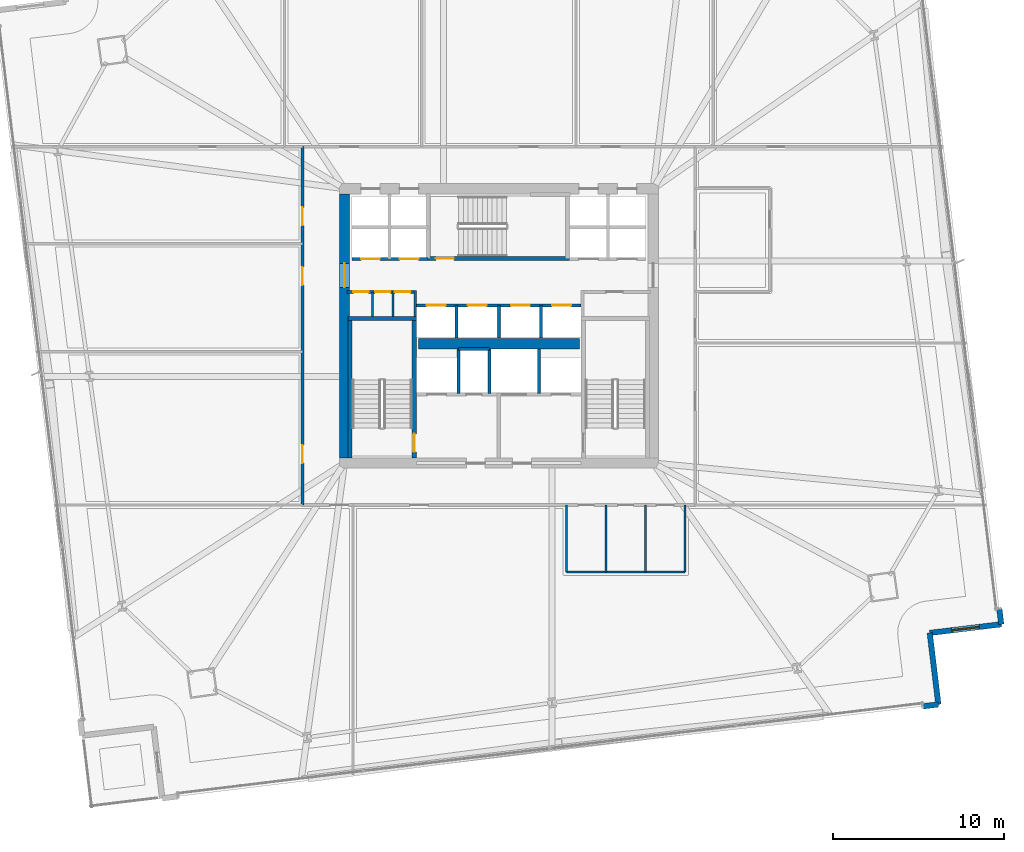
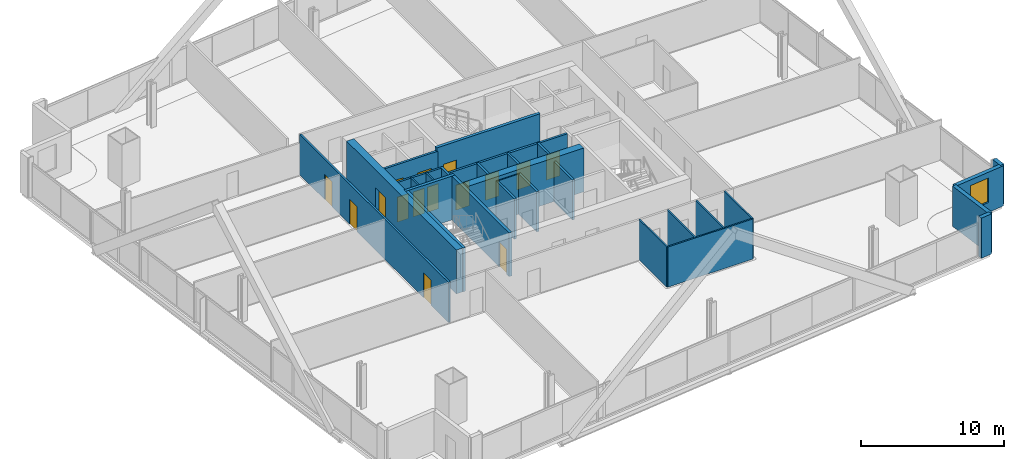
# One storey, part 26 of 33: 29 walls, 15 doors, 1 window, 16 openings.
"""IFC4 building model written with IfcOpenShell, lengths in metres."""

from ifc_helpers import new_model, si_unit, direction, frame, frame_2d, origin, place, context, subcontext, project, spatial, rectangle, extrude, material, layer, layer_set, type_object, element, fill, save


model = new_model("IFC4")

# Units and contexts
model_context = context("Model", 3, precision=1e-05, world=origin(), true_north=direction((0.0, 1.0)))
body_context = subcontext(model_context, "Body", "Model", "MODEL_VIEW")
ifc_project = project(units=[si_unit("LENGTHUNIT", "METRE"), si_unit("AREAUNIT", "SQUARE_METRE"), si_unit("VOLUMEUNIT", "CUBIC_METRE"), si_unit("PLANEANGLEUNIT", "RADIAN"), si_unit("MASSUNIT", "GRAM", prefix="KILO")], contexts=[model_context])

# Site, building, storey
site_placement = place(None, origin())
site = spatial("IfcSite", under=ifc_project, at=site_placement, CompositionType="ELEMENT")
building_placement = place(site_placement, origin())
building = spatial("IfcBuilding", under=site, at=building_placement, Name="Haldenkirk Collegiate Tower", CompositionType="ELEMENT")
storey_placement = place(building_placement, frame((0.0, 0.0, 51.449951171875)))
storey = spatial("IfcBuildingStorey", under=building, at=storey_placement, Name="L11", CompositionType="ELEMENT", Elevation=51.449951171875)

# Wall, opening, door
ifc_material_1 = material(Name="Concrete f'c 70 MPa", Category="concrete")
ifc_layer_1 = layer(ifc_material_1, 0.60009765625)
ifc_layer_set_1 = layer_set([ifc_layer_1], Name="Concrete f'c 70 MPa")
wall_type_1 = type_object("IfcWallType", Name="WL-CORE-600", PredefinedType="SHEAR", material=ifc_layer_set_1)
wall_1_placement = place(storey_placement, frame((27.0, 18.300048828125, 0.0), z_axis=(0.0, 0.0, 1.0), x_axis=(0.0, 1.0, 0.0)))
wall_1 = element("IfcWall", 1, at=wall_1_placement, inside=storey, type_object=wall_type_1, Name="L11 central core shear wall W", PredefinedType="SHEAR", context=body_context, shape_type="SweptSolid", body=[
    extrude(rectangle(XDim=15.39990234375, YDim=0.60009765625, at=frame_2d((7.699951171875, 0.0))), origin(), (0.0, 0.0, 1.0), 3.75),
])
opening_1_placement = place(wall_1_placement, frame((9.93994140625, 0.0, 0.0)))
opening_1 = element("IfcOpeningElement", 2, at=opening_1_placement, cuts=wall_1, Name="Opening D-03", PredefinedType="OPENING", context=body_context, shape_type="SweptSolid", body=[
    extrude(rectangle(XDim=1.39990234375, YDim=2.199951171875, at=frame_2d((0.699951171875, 1.10009765625))), frame((0.0, 0.31005859375, 0.0), z_axis=(0.0, -1.0, 0.0), x_axis=(1.0, 0.0, 0.0)), (0.0, 0.0, 1.0), 0.6201171875),
])
ifc_material_2 = material(Name="Galvanized fire-rated hollow steel door", Category="steel")
ifc_layer_2 = layer(ifc_material_2, 0.06005859375)
ifc_layer_set_2 = layer_set([ifc_layer_2], Name="Galvanized fire-rated hollow steel door")
door_type_1 = type_object("IfcDoorType", Name="DR-LOBBY-FD90-1400", OperationType="NOTDEFINED", PredefinedType="DOOR", material=ifc_layer_set_2)
door_1_placement = place(opening_1_placement, origin())
door_1 = element("IfcDoor", 3, at=door_1_placement, inside=storey, type_object=door_type_1, Name="L11 west lift lobby portal", OperationType="DOUBLE_DOOR_SINGLE_SWING", OverallHeight=2.199951171875, OverallWidth=1.39990234375, PredefinedType="DOOR", context=body_context, shape_type="SweptSolid", body=[
    extrude(rectangle(XDim=1.39990234375, YDim=2.199951171875, at=frame_2d((0.699951171875, 1.10009765625))), frame((0.0, 0.02490234375, 0.0), z_axis=(0.0, -1.0, 0.0), x_axis=(1.0, 0.0, 0.0)), (0.0, 0.0, 1.0), 0.050048828125),
])
fill(opening_1, door_1)

# Walls
wall_2_placement = place(storey_placement, frame((31.31005859375, 24.949951171875, 0.0), z_axis=(0.0, 0.0, 1.0), x_axis=(1.0, 0.0, 0.0)))
element("IfcWall", 4, at=wall_2_placement, inside=storey, type_object=wall_type_1, Name="L11 central core spine shear wall", PredefinedType="SHEAR", context=body_context, shape_type="SweptSolid", body=[
    extrude(rectangle(XDim=9.3798828125, YDim=0.60009765625, at=frame_2d((4.68994140625, 0.0))), origin(), (0.0, 0.0, 1.0), 3.75),
])
ifc_material_3 = material(Name="Precast concrete f'c 40 MPa", Category="concrete")
ifc_layer_3 = layer(ifc_material_3, 0.320068359375)
ifc_layer_set_3 = layer_set([ifc_layer_3], Name="Precast concrete f'c 40 MPa")
wall_type_2 = type_object("IfcWallType", Name="WL-EXT-TWR-320", PredefinedType="STANDARD", material=ifc_layer_set_3)
wall_3_placement = place(storey_placement, frame((61.63818359375, 3.920166015625, 0.0), z_axis=(0.0, 0.0, 1.0), x_axis=(-0.992750468934, -0.12019362059, 0.0)))
element("IfcWall", 5, at=wall_3_placement, inside=storey, type_object=wall_type_2, Name="L11 precast corner pier SL", PredefinedType="STANDARD", context=body_context, shape_type="SweptSolid", body=[
    extrude(rectangle(XDim=0.89990234375, YDim=0.320068359375, at=frame_2d((0.449951171875, 0.0))), origin(), (0.0, 0.0, 1.0), 3.43994140625),
])
wall_4_placement = place(storey_placement, frame((61.1337890625, 8.08984375, 0.0), z_axis=(0.0, 0.0, 1.0), x_axis=(0.120091804293, -0.992762790671, 0.0)))
element("IfcWall", 6, at=wall_4_placement, inside=storey, type_object=wall_type_2, Name="L11 bronze precast notch wall 02", PredefinedType="STANDARD", context=body_context, shape_type="SweptSolid", body=[
    extrude(rectangle(XDim=4.2001953125, YDim=0.320068359375, at=frame_2d((2.10009765625, 0.0))), origin(), (0.0, 0.0, 1.0), 3.43994140625),
])

# Wall, opening, window
wall_5_placement = place(storey_placement, frame((65.30322265625, 8.59423828125, 0.0), z_axis=(0.0, 0.0, 1.0), x_axis=(-0.992761952279, -0.120098734829, 0.0)))
wall_5 = element("IfcWall", 7, at=wall_5_placement, inside=storey, type_object=wall_type_2, Name="L11 bronze precast notch wall 03", PredefinedType="STANDARD", context=body_context, shape_type="SweptSolid", body=[
    extrude(rectangle(XDim=4.199951171875, YDim=0.320068359375, at=frame_2d((2.10009765625, 0.0))), origin(), (0.0, 0.0, 1.0), 3.43994140625),
])
opening_2_placement = place(wall_5_placement, frame((1.300048828125, 0.0, 0.85009765625)))
opening_2 = element("IfcOpeningElement", 8, at=opening_2_placement, cuts=wall_5, Name="Opening W-03", PredefinedType="OPENING", context=body_context, shape_type="SweptSolid", body=[
    extrude(rectangle(XDim=1.60009765625, YDim=2.10009765625, at=frame_2d((0.800048828125, 1.050048828125))), frame((0.0, 0.169921875, 0.0), z_axis=(0.0, -1.0, 0.0), x_axis=(1.0, 0.0, 0.0)), (0.0, 0.0, 1.0), 0.340087890625),
])
ifc_material_4 = material(Name="Low-E argon triple insulating glass", Category="glass")
ifc_layer_4 = layer(ifc_material_4, 0.090087890625)
ifc_layer_set_4 = layer_set([ifc_layer_4], Name="Low-E argon triple insulating glass")
window_type = type_object("IfcWindowType", Name="WN-Z1-1600X2100", PartitioningType="SINGLE_PANEL", PredefinedType="WINDOW", material=ifc_layer_set_4)
window_placement = place(opening_2_placement, origin())
window = element("IfcWindow", 9, at=window_placement, inside=storey, type_object=window_type, Name="L11 precast-frame academic window 2", OverallHeight=2.10009765625, OverallWidth=1.60009765625, PartitioningType="SINGLE_PANEL", PredefinedType="WINDOW", context=body_context, shape_type="SweptSolid", body=[
    extrude(rectangle(XDim=1.60009765625, YDim=2.10009765625, at=frame_2d((0.800048828125, 1.050048828125))), frame((0.0, 0.030029296875, 0.0), z_axis=(0.0, -1.0, 0.0), x_axis=(1.0, 0.0, 0.0)), (0.0, 0.0, 1.0), 0.06005859375),
])
fill(opening_2, window)

# Wall
wall_6_placement = place(storey_placement, frame((65.1953125, 9.48779296875, 0.0), z_axis=(0.0, 0.0, 1.0), x_axis=(0.119893914026, -0.992786708906, 0.0)))
element("IfcWall", 10, at=wall_6_placement, inside=storey, type_object=wall_type_2, Name="L11 precast corner pier ER", PredefinedType="STANDARD", context=body_context, shape_type="SweptSolid", body=[
    extrude(rectangle(XDim=0.900146484375, YDim=0.320068359375, at=frame_2d((0.4501953125, 0.0))), origin(), (0.0, 0.0, 1.0), 3.43994140625),
])

# Wall, openings, doors
ifc_material_5 = material(Name="Acoustic fire-rated gypsum partition", Category="concrete")
ifc_layer_5 = layer(ifc_material_5, 0.159912109375)
ifc_layer_set_5 = layer_set([ifc_layer_5], Name="Acoustic fire-rated gypsum partition")
wall_type_3 = type_object("IfcWallType", Name="WL-INT-CORR-160", PredefinedType="PARTITIONING", material=ifc_layer_set_5)
wall_7_placement = place(storey_placement, frame((27.14990234375, 27.97998046875, 0.0), z_axis=(0.0, 0.0, 1.0), x_axis=(1.0, 0.0, 0.0)))
wall_7 = element("IfcWall", 11, at=wall_7_placement, inside=storey, type_object=wall_type_3, Name="L11 interior partition IW-L11-VCSW-N", PredefinedType="PARTITIONING", context=body_context, shape_type="SweptSolid", body=[
    extrude(rectangle(XDim=4.050048828125, YDim=0.159912109375, at=frame_2d((2.02490234375, 0.0))), origin(), (0.0, 0.0, 1.0), 3.43994140625),
])
opening_3_placement = place(wall_7_placement, frame((0.360107421875, 0.0, 0.0)))
opening_3 = element("IfcOpeningElement", 12, at=opening_3_placement, cuts=wall_7, Name="Opening D-11", PredefinedType="OPENING", context=body_context, shape_type="SweptSolid", body=[
    extrude(rectangle(XDim=0.89990234375, YDim=2.14990234375, at=frame_2d((0.449951171875, 1.074951171875))), frame((0.0, 0.08984375, 0.0), z_axis=(0.0, -1.0, 0.0), x_axis=(1.0, 0.0, 0.0)), (0.0, 0.0, 1.0), 0.179931640625),
])
opening_4_placement = place(wall_7_placement, frame((1.6298828125, 0.0, 0.0)))
opening_4 = element("IfcOpeningElement", 13, at=opening_4_placement, cuts=wall_7, Name="Opening D-11", PredefinedType="OPENING", context=body_context, shape_type="SweptSolid", body=[
    extrude(rectangle(XDim=0.89990234375, YDim=2.14990234375, at=frame_2d((0.449951171875, 1.074951171875))), frame((0.0, 0.08984375, 0.0), z_axis=(0.0, -1.0, 0.0), x_axis=(1.0, 0.0, 0.0)), (0.0, 0.0, 1.0), 0.179931640625),
])
opening_5_placement = place(wall_7_placement, frame((2.78759765625, 0.0, 0.0)))
opening_5 = element("IfcOpeningElement", 14, at=opening_5_placement, cuts=wall_7, Name="Opening D-11", PredefinedType="OPENING", context=body_context, shape_type="SweptSolid", body=[
    extrude(rectangle(XDim=0.89990234375, YDim=2.14990234375, at=frame_2d((0.449951171875, 1.074951171875))), frame((0.0, 0.08984375, 0.0), z_axis=(0.0, -1.0, 0.0), x_axis=(1.0, 0.0, 0.0)), (0.0, 0.0, 1.0), 0.179931640625),
])
ifc_material_6 = material(Name="Solid-core architectural oak fire door", Category="wood")
ifc_layer_6 = layer(ifc_material_6, 0.06005859375)
ifc_layer_set_6 = layer_set([ifc_layer_6], Name="Solid-core architectural oak fire door")
door_type_2 = type_object("IfcDoorType", Name="DR-INT-FD60-900", OperationType="NOTDEFINED", PredefinedType="DOOR", material=ifc_layer_set_6)
door_2_placement = place(opening_3_placement, origin())
door_2 = element("IfcDoor", 15, at=door_2_placement, inside=storey, type_object=door_type_2, Name="L11 core study booth door", OperationType="SINGLE_SWING_RIGHT", OverallHeight=2.14990234375, OverallWidth=0.89990234375, PredefinedType="DOOR", context=body_context, shape_type="SweptSolid", body=[
    extrude(rectangle(XDim=0.89990234375, YDim=2.14990234375, at=frame_2d((0.449951171875, 1.074951171875))), frame((0.0, 0.02490234375, 0.0), z_axis=(0.0, -1.0, 0.0), x_axis=(1.0, 0.0, 0.0)), (0.0, 0.0, 1.0), 0.050048828125),
])
fill(opening_3, door_2)
door_3_placement = place(opening_4_placement, origin())
door_3 = element("IfcDoor", 16, at=door_3_placement, inside=storey, type_object=door_type_2, Name="L11 core cleaners door", OperationType="SINGLE_SWING_LEFT", OverallHeight=2.14990234375, OverallWidth=0.89990234375, PredefinedType="DOOR", context=body_context, shape_type="SweptSolid", body=[
    extrude(rectangle(XDim=0.89990234375, YDim=2.14990234375, at=frame_2d((0.449951171875, 1.074951171875))), frame((0.0, 0.02490234375, 0.0), z_axis=(0.0, -1.0, 0.0), x_axis=(1.0, 0.0, 0.0)), (0.0, 0.0, 1.0), 0.050048828125),
])
fill(opening_4, door_3)
door_4_placement = place(opening_5_placement, origin())
door_4 = element("IfcDoor", 17, at=door_4_placement, inside=storey, type_object=door_type_2, Name="L11 core stationery door", OperationType="SINGLE_SWING_RIGHT", OverallHeight=2.14990234375, OverallWidth=0.89990234375, PredefinedType="DOOR", context=body_context, shape_type="SweptSolid", body=[
    extrude(rectangle(XDim=0.89990234375, YDim=2.14990234375, at=frame_2d((0.449951171875, 1.074951171875))), frame((0.0, 0.02490234375, 0.0), z_axis=(0.0, -1.0, 0.0), x_axis=(1.0, 0.0, 0.0)), (0.0, 0.0, 1.0), 0.050048828125),
])
fill(opening_5, door_4)

# Wall
wall_8_placement = place(storey_placement, frame((31.1201171875, 26.5400390625, 0.0), z_axis=(0.0, 0.0, 1.0), x_axis=(0.0, 1.0, 0.0)))
element("IfcWall", 18, at=wall_8_placement, inside=storey, type_object=wall_type_3, Name="L11 interior partition IW-L11-VCSW-E", PredefinedType="PARTITIONING", context=body_context, shape_type="SweptSolid", body=[
    extrude(rectangle(XDim=1.510009765625, YDim=0.159912109375, at=frame_2d((0.7548828125, 0.0))), origin(), (0.0, 0.0, 1.0), 3.43994140625),
])

# Wall, openings, doors
wall_9_placement = place(storey_placement, frame((24.550048828125, 15.550048828125, 0.0), z_axis=(0.0, 0.0, 1.0), x_axis=(0.0, 1.0, 0.0)))
wall_9 = element("IfcWall", 19, at=wall_9_placement, inside=storey, type_object=wall_type_3, Name="L11 interior partition IW-L11-CW", PredefinedType="PARTITIONING", context=body_context, shape_type="SweptSolid", body=[
    extrude(rectangle(XDim=20.89990234375, YDim=0.159912109375, at=frame_2d((10.449951171875, 0.0))), origin(), (0.0, 0.0, 1.0), 3.43994140625),
])
opening_6_placement = place(wall_9_placement, frame((2.445068359375, 0.0, 0.0)))
opening_6 = element("IfcOpeningElement", 20, at=opening_6_placement, cuts=wall_9, Name="Opening D-09", PredefinedType="OPENING", context=body_context, shape_type="SweptSolid", body=[
    extrude(rectangle(XDim=1.050048828125, YDim=2.14990234375, at=frame_2d((0.52490234375, 1.074951171875))), frame((0.0, 0.08984375, 0.0), z_axis=(0.0, -1.0, 0.0), x_axis=(1.0, 0.0, 0.0)), (0.0, 0.0, 1.0), 0.179931640625),
])
opening_7_placement = place(wall_9_placement, frame((12.8291015625, 0.0, 0.0)))
opening_7 = element("IfcOpeningElement", 21, at=opening_7_placement, cuts=wall_9, Name="Opening D-09", PredefinedType="OPENING", context=body_context, shape_type="SweptSolid", body=[
    extrude(rectangle(XDim=1.050048828125, YDim=2.14990234375, at=frame_2d((0.52490234375, 1.074951171875))), frame((0.0, 0.08984375, 0.0), z_axis=(0.0, -1.0, 0.0), x_axis=(1.0, 0.0, 0.0)), (0.0, 0.0, 1.0), 0.179931640625),
])
opening_8_placement = place(wall_9_placement, frame((16.306884765625, 0.0, 0.0)))
opening_8 = element("IfcOpeningElement", 22, at=opening_8_placement, cuts=wall_9, Name="Opening D-09", PredefinedType="OPENING", context=body_context, shape_type="SweptSolid", body=[
    extrude(rectangle(XDim=1.050048828125, YDim=2.14990234375, at=frame_2d((0.52490234375, 1.074951171875))), frame((0.0, 0.08984375, 0.0), z_axis=(0.0, -1.0, 0.0), x_axis=(1.0, 0.0, 0.0)), (0.0, 0.0, 1.0), 0.179931640625),
])
ifc_layer_7 = layer(ifc_material_6, 0.06005859375)
ifc_layer_set_7 = layer_set([ifc_layer_7], Name="Solid-core architectural oak fire door")
door_type_3 = type_object("IfcDoorType", Name="DR-INT-FD60-1050", OperationType="NOTDEFINED", PredefinedType="DOOR", material=ifc_layer_set_7)
door_5_placement = place(opening_6_placement, origin())
door_5 = element("IfcDoor", 23, at=door_5_placement, inside=storey, type_object=door_type_3, Name="L11 Rare Folio Vault 8 door", OperationType="SINGLE_SWING_RIGHT", OverallHeight=2.14990234375, OverallWidth=1.050048828125, PredefinedType="DOOR", context=body_context, shape_type="SweptSolid", body=[
    extrude(rectangle(XDim=1.050048828125, YDim=2.14990234375, at=frame_2d((0.52490234375, 1.074951171875))), frame((0.0, 0.02490234375, 0.0), z_axis=(0.0, -1.0, 0.0), x_axis=(1.0, 0.0, 0.0)), (0.0, 0.0, 1.0), 0.050048828125),
])
fill(opening_6, door_5)
door_6_placement = place(opening_7_placement, origin())
door_6 = element("IfcDoor", 24, at=door_6_placement, inside=storey, type_object=door_type_3, Name="L11 Instrument Store Room 9 door", OperationType="SINGLE_SWING_LEFT", OverallHeight=2.14990234375, OverallWidth=1.050048828125, PredefinedType="DOOR", context=body_context, shape_type="SweptSolid", body=[
    extrude(rectangle(XDim=1.050048828125, YDim=2.14990234375, at=frame_2d((0.52490234375, 1.074951171875))), frame((0.0, 0.02490234375, 0.0), z_axis=(0.0, -1.0, 0.0), x_axis=(1.0, 0.0, 0.0)), (0.0, 0.0, 1.0), 0.050048828125),
])
fill(opening_7, door_6)
door_7_placement = place(opening_8_placement, origin())
door_7 = element("IfcDoor", 25, at=door_7_placement, inside=storey, type_object=door_type_3, Name="L11 Material Specimen Store 10 door", OperationType="SINGLE_SWING_RIGHT", OverallHeight=2.14990234375, OverallWidth=1.050048828125, PredefinedType="DOOR", context=body_context, shape_type="SweptSolid", body=[
    extrude(rectangle(XDim=1.050048828125, YDim=2.14990234375, at=frame_2d((0.52490234375, 1.074951171875))), frame((0.0, 0.02490234375, 0.0), z_axis=(0.0, -1.0, 0.0), x_axis=(1.0, 0.0, 0.0)), (0.0, 0.0, 1.0), 0.050048828125),
])
fill(opening_8, door_7)

# Walls
ifc_material_7 = material(Name="Fire-rated gypsum shaftboard assembly", Category="concrete")
ifc_layer_8 = layer(ifc_material_7, 0.179931640625)
ifc_layer_set_8 = layer_set([ifc_layer_8], Name="Fire-rated gypsum shaftboard assembly")
wall_type_4 = type_object("IfcWallType", Name="WL-INT-SHAFT-180", PredefinedType="PARTITIONING", material=ifc_layer_set_8)
for number, where, z_axis, x_axis, name in (
    (26, (33.64990234375, 22.050048828125, 0.0), (0.0, 0.0, 1.0), (0.0, 1.0, 0.0), "L11 interior partition IW-L11-FL1E"),
    (27, (35.449951171875, 22.050048828125, 0.0), (0.0, 0.0, 1.0), (0.0, 1.0, 0.0), "L11 interior partition IW-L11-GL1W"),
):
    element("IfcWall", number, at=place(storey_placement, frame(where, z_axis=z_axis, x_axis=x_axis)), inside=storey, type_object=wall_type_4, Name=name, PredefinedType="PARTITIONING", context=body_context, shape_type="SweptSolid", body=[
        extrude(rectangle(XDim=2.599853515625, YDim=0.179931640625, at=frame_2d((1.2998046875, 0.0))), origin(), (0.0, 0.0, 1.0), 3.43994140625),
    ])
wall_10_placement = place(storey_placement, frame((33.64990234375, 24.64990234375, 0.0), z_axis=(0.0, 0.0, 1.0), x_axis=(1.0, 0.0, 0.0)))
element("IfcWall", 28, at=wall_10_placement, inside=storey, type_object=wall_type_4, Name="L11 interior partition IW-L11-RSRN", PredefinedType="PARTITIONING", context=body_context, shape_type="SweptSolid", body=[
    extrude(rectangle(XDim=1.800048828125, YDim=0.179931640625, at=frame_2d((0.89990234375, 0.0))), origin(), (0.0, 0.0, 1.0), 3.43994140625),
])
wall_11_placement = place(storey_placement, frame((38.35009765625, 22.050048828125, 0.0), z_axis=(0.0, 0.0, 1.0), x_axis=(0.0, 1.0, 0.0)))
element("IfcWall", 29, at=wall_11_placement, inside=storey, type_object=wall_type_4, Name="L11 interior partition IW-L11-GL1E", PredefinedType="PARTITIONING", context=body_context, shape_type="SweptSolid", body=[
    extrude(rectangle(XDim=2.599853515625, YDim=0.179931640625, at=frame_2d((1.2998046875, 0.0))), origin(), (0.0, 0.0, 1.0), 3.43994140625),
])

# Wall, openings, doors
wall_12_placement = place(storey_placement, frame((27.449951171875, 29.89990234375, 0.0), z_axis=(0.0, 0.0, 1.0), x_axis=(1.0, 0.0, 0.0)))
wall_12 = element("IfcWall", 30, at=wall_12_placement, inside=storey, type_object=wall_type_4, Name="L11 interior partition IW-L11-PLS", PredefinedType="PARTITIONING", context=body_context, shape_type="SweptSolid", body=[
    extrude(rectangle(XDim=4.429931640625, YDim=0.179931640625, at=frame_2d((2.21484375, 0.0))), origin(), (0.0, 0.0, 1.0), 3.43994140625),
])
opening_9_placement = place(wall_12_placement, frame((0.514892578125, 0.0, 0.0)))
opening_9 = element("IfcOpeningElement", 31, at=opening_9_placement, cuts=wall_12, Name="Opening LD-11", PredefinedType="OPENING", context=body_context, shape_type="SweptSolid", body=[
    extrude(rectangle(XDim=1.10009765625, YDim=2.14990234375, at=frame_2d((0.550048828125, 1.074951171875))), frame((0.0, 0.099853515625, 0.0), z_axis=(0.0, -1.0, 0.0), x_axis=(1.0, 0.0, 0.0)), (0.0, 0.0, 1.0), 0.199951171875),
])
opening_10_placement = place(wall_12_placement, frame((2.764892578125, 0.0, 0.0)))
opening_10 = element("IfcOpeningElement", 32, at=opening_10_placement, cuts=wall_12, Name="Opening LD-11", PredefinedType="OPENING", context=body_context, shape_type="SweptSolid", body=[
    extrude(rectangle(XDim=1.10009765625, YDim=2.14990234375, at=frame_2d((0.550048828125, 1.074951171875))), frame((0.0, 0.099853515625, 0.0), z_axis=(0.0, -1.0, 0.0), x_axis=(1.0, 0.0, 0.0)), (0.0, 0.0, 1.0), 0.199951171875),
])
ifc_material_8 = material(Name="Brushed architectural stainless steel", Category="steel")
ifc_layer_9 = layer(ifc_material_8, 0.06005859375)
ifc_layer_set_9 = layer_set([ifc_layer_9], Name="Brushed architectural stainless steel")
door_type_4 = type_object("IfcDoorType", Name="LD-PASS-1100", OperationType="NOTDEFINED", PredefinedType="DOOR", material=ifc_layer_set_9)
door_8_placement = place(opening_9_placement, origin())
door_8 = element("IfcDoor", 33, at=door_8_placement, inside=storey, type_object=door_type_4, Name="L11 Elevator PL1 sliding landing door", OperationType="SLIDING_TO_LEFT", OverallHeight=2.14990234375, OverallWidth=1.10009765625, PredefinedType="DOOR", context=body_context, shape_type="SweptSolid", body=[
    extrude(rectangle(XDim=1.10009765625, YDim=2.14990234375, at=frame_2d((0.550048828125, 1.074951171875))), frame((0.0, 0.02490234375, 0.0), z_axis=(0.0, -1.0, 0.0), x_axis=(1.0, 0.0, 0.0)), (0.0, 0.0, 1.0), 0.050048828125),
])
fill(opening_9, door_8)
door_9_placement = place(opening_10_placement, origin())
door_9 = element("IfcDoor", 34, at=door_9_placement, inside=storey, type_object=door_type_4, Name="L11 Elevator PL2 sliding landing door", OperationType="SLIDING_TO_LEFT", OverallHeight=2.14990234375, OverallWidth=1.10009765625, PredefinedType="DOOR", context=body_context, shape_type="SweptSolid", body=[
    extrude(rectangle(XDim=1.10009765625, YDim=2.14990234375, at=frame_2d((0.550048828125, 1.074951171875))), frame((0.0, 0.02490234375, 0.0), z_axis=(0.0, -1.0, 0.0), x_axis=(1.0, 0.0, 0.0)), (0.0, 0.0, 1.0), 0.050048828125),
])
fill(opening_10, door_9)

wall_13_placement = place(storey_placement, frame((31.199951171875, 27.199951171875, 0.0), z_axis=(0.0, 0.0, 1.0), x_axis=(1.0, 0.0, 0.0)))
wall_13 = element("IfcWall", 35, at=wall_13_placement, inside=storey, type_object=wall_type_4, Name="L11 interior partition IW-L11-PHN", PredefinedType="PARTITIONING", context=body_context, shape_type="SweptSolid", body=[
    extrude(rectangle(XDim=9.60009765625, YDim=0.179931640625, at=frame_2d((4.800048828125, 0.0))), origin(), (0.0, 0.0, 1.0), 3.43994140625),
])
opening_11_placement = place(wall_13_placement, frame((0.590087890625, 0.0, 0.0)))
opening_11 = element("IfcOpeningElement", 36, at=opening_11_placement, cuts=wall_13, Name="Opening LD-11", PredefinedType="OPENING", context=body_context, shape_type="SweptSolid", body=[
    extrude(rectangle(XDim=1.10009765625, YDim=2.14990234375, at=frame_2d((0.550048828125, 1.074951171875))), frame((0.0, 0.099853515625, 0.0), z_axis=(0.0, -1.0, 0.0), x_axis=(1.0, 0.0, 0.0)), (0.0, 0.0, 1.0), 0.199951171875),
])
opening_12_placement = place(wall_13_placement, frame((2.989990234375, 0.0, 0.0)))
opening_12 = element("IfcOpeningElement", 37, at=opening_12_placement, cuts=wall_13, Name="Opening LD-11", PredefinedType="OPENING", context=body_context, shape_type="SweptSolid", body=[
    extrude(rectangle(XDim=1.10009765625, YDim=2.14990234375, at=frame_2d((0.550048828125, 1.074951171875))), frame((0.0, 0.099853515625, 0.0), z_axis=(0.0, -1.0, 0.0), x_axis=(1.0, 0.0, 0.0)), (0.0, 0.0, 1.0), 0.199951171875),
])
opening_13_placement = place(wall_13_placement, frame((5.510009765625, 0.0, 0.0)))
opening_13 = element("IfcOpeningElement", 38, at=opening_13_placement, cuts=wall_13, Name="Opening LD-11", PredefinedType="OPENING", context=body_context, shape_type="SweptSolid", body=[
    extrude(rectangle(XDim=1.10009765625, YDim=2.14990234375, at=frame_2d((0.550048828125, 1.074951171875))), frame((0.0, 0.099853515625, 0.0), z_axis=(0.0, -1.0, 0.0), x_axis=(1.0, 0.0, 0.0)), (0.0, 0.0, 1.0), 0.199951171875),
])
opening_14_placement = place(wall_13_placement, frame((7.909912109375, 0.0, 0.0)))
opening_14 = element("IfcOpeningElement", 39, at=opening_14_placement, cuts=wall_13, Name="Opening LD-11", PredefinedType="OPENING", context=body_context, shape_type="SweptSolid", body=[
    extrude(rectangle(XDim=1.10009765625, YDim=2.14990234375, at=frame_2d((0.550048828125, 1.074951171875))), frame((0.0, 0.099853515625, 0.0), z_axis=(0.0, -1.0, 0.0), x_axis=(1.0, 0.0, 0.0)), (0.0, 0.0, 1.0), 0.199951171875),
])
door_10_placement = place(opening_11_placement, origin())
door_10 = element("IfcDoor", 40, at=door_10_placement, inside=storey, type_object=door_type_4, Name="L11 Elevator PH1 sliding landing door", OperationType="SLIDING_TO_LEFT", OverallHeight=2.14990234375, OverallWidth=1.10009765625, PredefinedType="DOOR", context=body_context, shape_type="SweptSolid", body=[
    extrude(rectangle(XDim=1.10009765625, YDim=2.14990234375, at=frame_2d((0.550048828125, 1.074951171875))), frame((0.0, 0.02490234375, 0.0), z_axis=(0.0, -1.0, 0.0), x_axis=(1.0, 0.0, 0.0)), (0.0, 0.0, 1.0), 0.050048828125),
])
fill(opening_11, door_10)
door_11_placement = place(opening_12_placement, origin())
door_11 = element("IfcDoor", 41, at=door_11_placement, inside=storey, type_object=door_type_4, Name="L11 Elevator PH2 sliding landing door", OperationType="SLIDING_TO_LEFT", OverallHeight=2.14990234375, OverallWidth=1.10009765625, PredefinedType="DOOR", context=body_context, shape_type="SweptSolid", body=[
    extrude(rectangle(XDim=1.10009765625, YDim=2.14990234375, at=frame_2d((0.550048828125, 1.074951171875))), frame((0.0, 0.02490234375, 0.0), z_axis=(0.0, -1.0, 0.0), x_axis=(1.0, 0.0, 0.0)), (0.0, 0.0, 1.0), 0.050048828125),
])
fill(opening_12, door_11)
door_12_placement = place(opening_13_placement, origin())
door_12 = element("IfcDoor", 42, at=door_12_placement, inside=storey, type_object=door_type_4, Name="L11 Elevator PH3 sliding landing door", OperationType="SLIDING_TO_LEFT", OverallHeight=2.14990234375, OverallWidth=1.10009765625, PredefinedType="DOOR", context=body_context, shape_type="SweptSolid", body=[
    extrude(rectangle(XDim=1.10009765625, YDim=2.14990234375, at=frame_2d((0.550048828125, 1.074951171875))), frame((0.0, 0.02490234375, 0.0), z_axis=(0.0, -1.0, 0.0), x_axis=(1.0, 0.0, 0.0)), (0.0, 0.0, 1.0), 0.050048828125),
])
fill(opening_13, door_12)
door_13_placement = place(opening_14_placement, origin())
door_13 = element("IfcDoor", 43, at=door_13_placement, inside=storey, type_object=door_type_4, Name="L11 Elevator PH4 sliding landing door", OperationType="SLIDING_TO_LEFT", OverallHeight=2.14990234375, OverallWidth=1.10009765625, PredefinedType="DOOR", context=body_context, shape_type="SweptSolid", body=[
    extrude(rectangle(XDim=1.10009765625, YDim=2.14990234375, at=frame_2d((0.550048828125, 1.074951171875))), frame((0.0, 0.02490234375, 0.0), z_axis=(0.0, -1.0, 0.0), x_axis=(1.0, 0.0, 0.0)), (0.0, 0.0, 1.0), 0.050048828125),
])
fill(opening_14, door_13)

# Walls
for number, where, z_axis, x_axis, name in (
    (44, (33.5400390625, 25.300048828125, 0.0), (0.0, 0.0, 1.0), (0.0, 1.0, 0.0), "L11 interior partition IW-L11-PHV1"),
    (45, (36.0, 25.300048828125, 0.0), (0.0, 0.0, 1.0), (0.0, 1.0, 0.0), "L11 interior partition IW-L11-PHV2"),
    (46, (38.4599609375, 25.300048828125, 0.0), (0.0, 0.0, 1.0), (0.0, 1.0, 0.0), "L11 interior partition IW-L11-PHV3"),
):
    element("IfcWall", number, at=place(storey_placement, frame(where, z_axis=z_axis, x_axis=x_axis)), inside=storey, type_object=wall_type_4, Name=name, PredefinedType="PARTITIONING", context=body_context, shape_type="SweptSolid", body=[
        extrude(rectangle(XDim=1.89990234375, YDim=0.179931640625, at=frame_2d((0.949951171875, 0.0))), origin(), (0.0, 0.0, 1.0), 3.43994140625),
    ])
ifc_layer_10 = layer(ifc_material_5, 0.1201171875)
ifc_layer_set_10 = layer_set([ifc_layer_10], Name="Acoustic fire-rated gypsum partition")
wall_type_5 = type_object("IfcWallType", Name="WL-INT-WET-120", PredefinedType="PARTITIONING", material=ifc_layer_set_10)
for number, where, z_axis, x_axis, name in (
    (47, (28.6201171875, 26.5400390625, 0.0), (0.0, 0.0, 1.0), (0.0, 1.0, 0.0), "L11 interior partition IW-L11-VCSW-M1"),
    (48, (29.840087890625, 26.5400390625, 0.0), (0.0, 0.0, 1.0), (0.0, 1.0, 0.0), "L11 interior partition IW-L11-VCSW-M2"),
):
    element("IfcWall", number, at=place(storey_placement, frame(where, z_axis=z_axis, x_axis=x_axis)), inside=storey, type_object=wall_type_5, Name=name, PredefinedType="PARTITIONING", context=body_context, shape_type="SweptSolid", body=[
        extrude(rectangle(XDim=1.43994140625, YDim=0.1201171875, at=frame_2d((0.719970703125, 0.0))), origin(), (0.0, 0.0, 1.0), 3.43994140625),
    ])
for number, where, z_axis, x_axis, name in (
    (49, (39.949951171875, 11.64990234375, 0.0), (0.0, 0.0, 1.0), (0.0, 1.0, 0.0), "L11 interior partition IW-L11-WCW"),
    (50, (42.25, 11.64990234375, 0.0), (0.0, 0.0, 1.0), (0.0, 1.0, 0.0), "L11 interior partition IW-L11-WC1"),
    (51, (44.550048828125, 11.64990234375, 0.0), (0.0, 0.0, 1.0), (0.0, 1.0, 0.0), "L11 interior partition IW-L11-WC2"),
    (52, (46.85009765625, 11.64990234375, 0.0), (0.0, 0.0, 1.0), (0.0, 1.0, 0.0), "L11 interior partition IW-L11-WCE"),
):
    element("IfcWall", number, at=place(storey_placement, frame(where, z_axis=z_axis, x_axis=x_axis)), inside=storey, type_object=wall_type_5, Name=name, PredefinedType="PARTITIONING", context=body_context, shape_type="SweptSolid", body=[
        extrude(rectangle(XDim=3.900146484375, YDim=0.1201171875, at=frame_2d((1.9501953125, 0.0))), origin(), (0.0, 0.0, 1.0), 3.43994140625),
    ])
wall_14_placement = place(storey_placement, frame((39.949951171875, 11.64990234375, 0.0), z_axis=(0.0, 0.0, 1.0), x_axis=(1.0, 0.0, 0.0)))
element("IfcWall", 53, at=wall_14_placement, inside=storey, type_object=wall_type_5, Name="L11 interior partition IW-L11-WCB", PredefinedType="PARTITIONING", context=body_context, shape_type="SweptSolid", body=[
    extrude(rectangle(XDim=6.900146484375, YDim=0.1201171875, at=frame_2d((3.4501953125, 0.0))), origin(), (0.0, 0.0, 1.0), 3.43994140625),
])

# Wall, opening, door
ifc_material_9 = material(Name="Concrete f'c 55 MPa", Category="concrete")
ifc_layer_11 = layer(ifc_material_9, 0.239990234375)
ifc_layer_set_11 = layer_set([ifc_layer_11], Name="Concrete f'c 55 MPa")
wall_type_6 = type_object("IfcWallType", Name="WL-SHAFT-240", PredefinedType="SHEAR", material=ifc_layer_set_11)
wall_15_placement = place(storey_placement, frame((31.070068359375, 18.280029296875, 0.0), z_axis=(0.0, 0.0, 1.0), x_axis=(0.0, 1.0, 0.0)))
wall_15 = element("IfcWall", 54, at=wall_15_placement, inside=storey, type_object=wall_type_6, Name="L11 stair shaft shear wall SW-L11-ST1E", PredefinedType="SHEAR", context=body_context, shape_type="SweptSolid", body=[
    extrude(rectangle(XDim=8.260009765625, YDim=0.239990234375, at=frame_2d((4.1298828125, 0.0))), origin(), (0.0, 0.0, 1.0), 3.75),
])
opening_15_placement = place(wall_15_placement, frame((0.364990234375, 0.0, 0.0)))
opening_15 = element("IfcOpeningElement", 55, at=opening_15_placement, cuts=wall_15, Name="Opening D-01", PredefinedType="OPENING", context=body_context, shape_type="SweptSolid", body=[
    extrude(rectangle(XDim=1.050048828125, YDim=2.14990234375, at=frame_2d((0.52490234375, 1.074951171875))), frame((0.0, 0.1298828125, 0.0), z_axis=(0.0, -1.0, 0.0), x_axis=(1.0, 0.0, 0.0)), (0.0, 0.0, 1.0), 0.260009765625),
])
ifc_layer_12 = layer(ifc_material_2, 0.06005859375)
ifc_layer_set_12 = layer_set([ifc_layer_12], Name="Galvanized fire-rated hollow steel door")
door_type_5 = type_object("IfcDoorType", Name="DR-STAIR-FD90-1050", OperationType="NOTDEFINED", PredefinedType="DOOR", material=ifc_layer_set_12)
door_14_placement = place(opening_15_placement, origin())
door_14 = element("IfcDoor", 56, at=door_14_placement, inside=storey, type_object=door_type_5, Name="L11 Stair 1 door", OperationType="SINGLE_SWING_LEFT", OverallHeight=2.14990234375, OverallWidth=1.050048828125, PredefinedType="DOOR", context=body_context, shape_type="SweptSolid", body=[
    extrude(rectangle(XDim=1.050048828125, YDim=2.14990234375, at=frame_2d((0.52490234375, 1.074951171875))), frame((0.0, 0.02490234375, 0.0), z_axis=(0.0, -1.0, 0.0), x_axis=(1.0, 0.0, 0.0)), (0.0, 0.0, 1.0), 0.050048828125),
])
fill(opening_15, door_14)

# Walls
wall_16_placement = place(storey_placement, frame((27.2099609375, 26.419921875, 0.0), z_axis=(0.0, 0.0, 1.0), x_axis=(1.0, 0.0, 0.0)))
element("IfcWall", 57, at=wall_16_placement, inside=storey, type_object=wall_type_6, Name="L11 stair shaft shear wall SW-L11-ST1N", PredefinedType="SHEAR", context=body_context, shape_type="SweptSolid", body=[
    extrude(rectangle(XDim=3.97998046875, YDim=0.239990234375, at=frame_2d((1.989990234375, 0.0))), origin(), (0.0, 0.0, 1.0), 3.75),
])
wall_17_placement = place(storey_placement, frame((27.330078125, 18.280029296875, 0.0), z_axis=(0.0, 0.0, 1.0), x_axis=(0.0, 1.0, 0.0)))
element("IfcWall", 58, at=wall_17_placement, inside=storey, type_object=wall_type_6, Name="L11 stair shaft shear wall SW-L11-ST1W", PredefinedType="SHEAR", context=body_context, shape_type="SweptSolid", body=[
    extrude(rectangle(XDim=8.260009765625, YDim=0.239990234375, at=frame_2d((4.1298828125, 0.0))), origin(), (0.0, 0.0, 1.0), 3.75),
])

# Wall, opening, door
wall_18_placement = place(storey_placement, frame((31.760009765625, 29.929931640625, 0.0), z_axis=(0.0, 0.0, 1.0), x_axis=(1.0, 0.0, 0.0)))
wall_18 = element("IfcWall", 59, at=wall_18_placement, inside=storey, type_object=wall_type_6, Name="L11 stair shaft shear wall SW-L11-ST3S", PredefinedType="SHEAR", context=body_context, shape_type="SweptSolid", body=[
    extrude(rectangle(XDim=8.3798828125, YDim=0.239990234375, at=frame_2d((4.18994140625, 0.0))), origin(), (0.0, 0.0, 1.0), 3.75),
])
opening_16_placement = place(wall_18_placement, frame((0.56494140625, 0.0, 0.0)))
opening_16 = element("IfcOpeningElement", 60, at=opening_16_placement, cuts=wall_18, Name="Opening D-01", PredefinedType="OPENING", context=body_context, shape_type="SweptSolid", body=[
    extrude(rectangle(XDim=1.050048828125, YDim=2.14990234375, at=frame_2d((0.52490234375, 1.074951171875))), frame((0.0, 0.1298828125, 0.0), z_axis=(0.0, -1.0, 0.0), x_axis=(1.0, 0.0, 0.0)), (0.0, 0.0, 1.0), 0.260009765625),
])
door_15_placement = place(opening_16_placement, origin())
door_15 = element("IfcDoor", 61, at=door_15_placement, inside=storey, type_object=door_type_5, Name="L11 lift lobby Stair 3 door", OperationType="SINGLE_SWING_RIGHT", OverallHeight=2.14990234375, OverallWidth=1.050048828125, PredefinedType="DOOR", context=body_context, shape_type="SweptSolid", body=[
    extrude(rectangle(XDim=1.050048828125, YDim=2.14990234375, at=frame_2d((0.52490234375, 1.074951171875))), frame((0.0, 0.02490234375, 0.0), z_axis=(0.0, -1.0, 0.0), x_axis=(1.0, 0.0, 0.0)), (0.0, 0.0, 1.0), 0.050048828125),
])
fill(opening_16, door_15)

save(model, "model.ifc")
